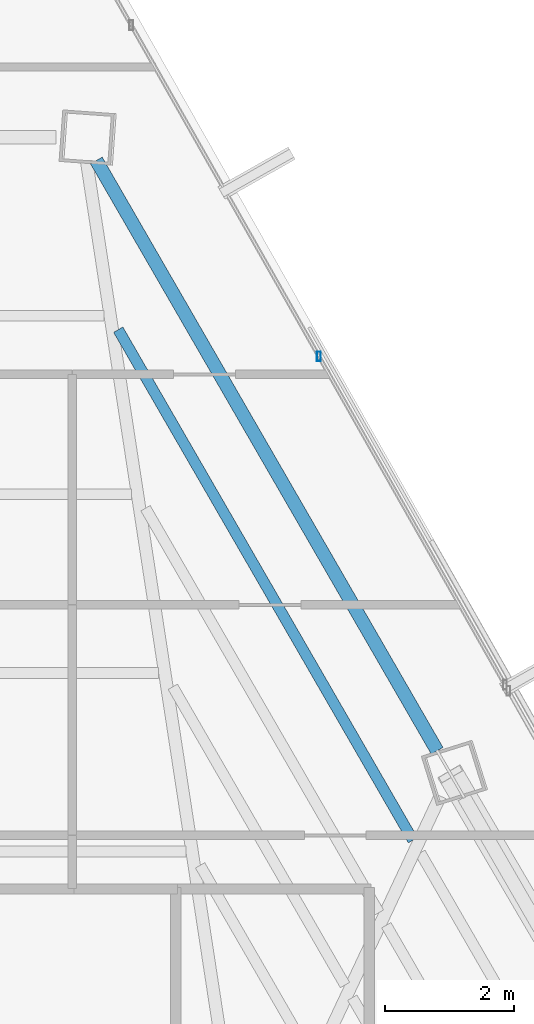
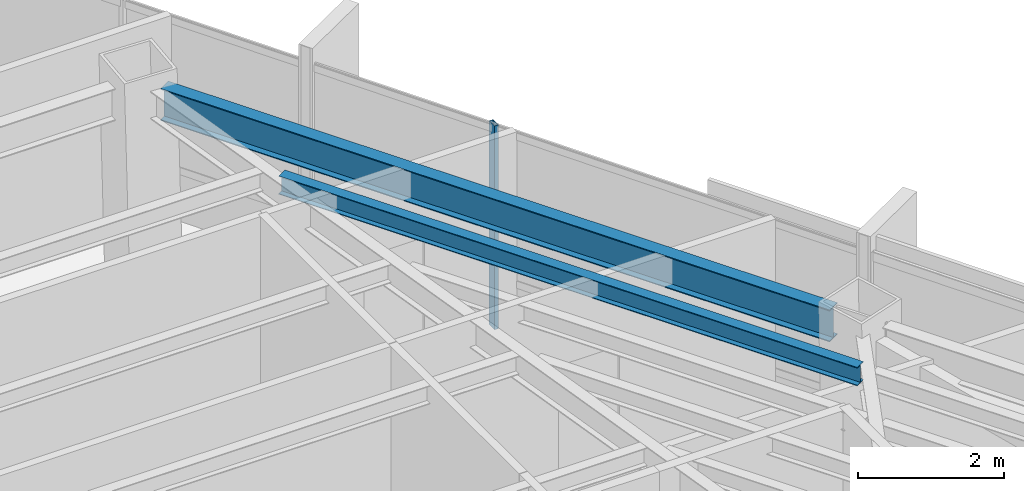
# One storey, part 32 of 42: 2 beams, 1 member, 1 element without a shape of its own.
"""IFC4 building model written with IfcOpenShell, lengths in metres."""

from ifc_helpers import new_model, si_unit, direction, frame, origin, origin_2d, place, context, subcontext, project, spatial, hollow_rectangle, i_section, extrude, source, transform, mapped, material, material_profile, profile_set, type_object, type_shapes, element, aggregate, save


model = new_model("IFC4")

# Units and contexts
model_context = context("Model", 3, precision=1e-05, world=origin(), true_north=direction((0.0, 1.0)))
body_context = subcontext(model_context, "Body", "Model", "MODEL_VIEW")
ifc_project = project(units=[si_unit("LENGTHUNIT", "METRE"), si_unit("AREAUNIT", "SQUARE_METRE"), si_unit("VOLUMEUNIT", "CUBIC_METRE"), si_unit("PLANEANGLEUNIT", "RADIAN"), si_unit("MASSUNIT", "GRAM", prefix="KILO")], contexts=[model_context])

# Site, building, storey
site_placement = place(None, origin())
site = spatial("IfcSite", under=ifc_project, at=site_placement, CompositionType="ELEMENT")
building_placement = place(site_placement, origin())
building = spatial("IfcBuilding", under=site, at=building_placement, Name="Caelisora Broadcast Tower", CompositionType="ELEMENT")
storey_placement = place(building_placement, frame((0.0, 0.0, 205.949951171875)))
storey = spatial("IfcBuildingStorey", under=building, at=storey_placement, Name="L54", CompositionType="ELEMENT", Elevation=205.949951171875)

# Beams
ifc_material_1 = material(Name="Steel Grade 350 (AS/NZS 3679.1)", Category="steel")
ifc_material_profile_1 = material_profile(ifc_material_1, i_section(OverallWidth=0.208984375, OverallDepth=0.532958984375, WebThickness=0.01025390625, FlangeThickness=0.015625, at=origin_2d()), Name="Steel Grade 350 (AS/NZS 3679.1)")
ifc_profile_set_1 = profile_set([ifc_material_profile_1], Name="Steel Grade 350 (AS/NZS 3679.1)")
beam_type_1 = type_object("IfcBeamType", Name="PG05", PredefinedType="BEAM", material=ifc_profile_set_1)
shared_shape_1 = source(origin(), body_context, "Body", "SweptSolid", [
    extrude(i_section(OverallWidth=0.208984375, OverallDepth=0.532958984375, WebThickness=0.01025390625, FlangeThickness=0.015625, at=origin_2d()), origin(), (0.0, 0.0, 1.0), 10.556884765625),
])
type_shapes(beam_type_1, [shared_shape_1])
beam_1_placement = place(storey_placement, frame((48.450439453125, 37.08935546875, 3.133544921875), z_axis=(-0.50000671437, 0.866021527206, 0.0), x_axis=(-0.866021527206, -0.50000671437, 0.0)))
element("IfcBeam", 1, at=beam_1_placement, inside=storey, type_object=beam_type_1, Name="L54 beam PG05", PredefinedType="BEAM", context=body_context, shape_type="MappedRepresentation", body=[
    mapped(shared_shape_1, transform((0.0, 0.0, 0.0), scale=1.0)),
])
ifc_material_profile_2 = material_profile(ifc_material_1, i_section(OverallWidth=0.166015625, OverallDepth=0.30712890625, WebThickness=0.006591796875, FlangeThickness=0.01171875, at=origin_2d()), Name="Steel Grade 350 (AS/NZS 3679.1)")
ifc_profile_set_2 = profile_set([ifc_material_profile_2], Name="Steel Grade 350 (AS/NZS 3679.1)")
beam_type_2 = type_object("IfcBeamType", Name="SB03", PredefinedType="JOIST", material=ifc_profile_set_2)
shared_shape_2 = source(origin(), body_context, "Body", "SweptSolid", [
    extrude(i_section(OverallWidth=0.166015625, OverallDepth=0.30712890625, WebThickness=0.006591796875, FlangeThickness=0.01171875, at=origin_2d()), origin(), (0.0, 0.0, 1.0), 9.129150390625),
])
type_shapes(beam_type_2, [shared_shape_2])
beam_2_placement = place(storey_placement, frame((48.075439453125, 35.705810546875, 3.246337890625), z_axis=(-0.500013362725, 0.866017688674, 0.0), x_axis=(-0.866017688674, -0.500013362725, 0.0)))
element("IfcBeam", 2, at=beam_2_placement, inside=storey, type_object=beam_type_2, Name="L54 beam SB03", PredefinedType="JOIST", context=body_context, shape_type="MappedRepresentation", body=[
    mapped(shared_shape_2, transform((0.0, 0.0, 0.0), scale=1.0)),
])

# Curtain wall, member
ifc_material_2 = material(Name="Unitised Aluminium and Low-E Glass Curtain Wall", Category="glass")
curtain_wall_type = type_object("IfcCurtainWallType", Name="CW-Z4", PredefinedType="NOTDEFINED", material=ifc_material_2)
curtain_wall_placement = place(storey_placement, origin())
curtain_wall = element("IfcCurtainWall", 3, at=curtain_wall_placement, inside=storey, type_object=curtain_wall_type, Name="L54 curtain wall CW-Z4", PredefinedType="NOTDEFINED")
ifc_material_3 = material(Name="Aluminium 6063-T6 Anodised Terracotta Bronze", Category="aluminium")
ifc_material_profile_3 = material_profile(ifc_material_3, hollow_rectangle(XDim=0.06005859375, YDim=0.14990234375, WallThickness=0.00341796875, at=origin_2d()), Name="Aluminium 6063-T6 Anodised Terracotta Bronze")
ifc_profile_set_3 = profile_set([ifc_material_profile_3], Name="Aluminium 6063-T6 Anodised Terracotta Bronze")
member_type = type_object("IfcMemberType", Name="CWM-03", PredefinedType="MULLION", material=ifc_profile_set_3)
shared_shape_3 = source(origin(), body_context, "Body", "SweptSolid", [
    extrude(hollow_rectangle(XDim=0.06005859375, YDim=0.14990234375, WallThickness=0.00341796875, at=origin_2d()), origin(), (0.0, 0.0, 1.0), 3.400146484375),
])
type_shapes(member_type, [shared_shape_3])
member_placement = place(storey_placement, frame((46.618408203125, 43.19873046875, 0.0), z_axis=(0.0, 0.0, 1.0), x_axis=(1.0, 0.0, 0.0)))
member = element("IfcMember", 4, at=member_placement, type_object=member_type, Name="L54-CW-B01 mullion #2", PredefinedType="MULLION", context=body_context, shape_type="MappedRepresentation", body=[
    mapped(shared_shape_3, transform((0.0, 0.0, 0.0), scale=1.0)),
])
aggregate(curtain_wall, [member])

save(model, "model.ifc")
